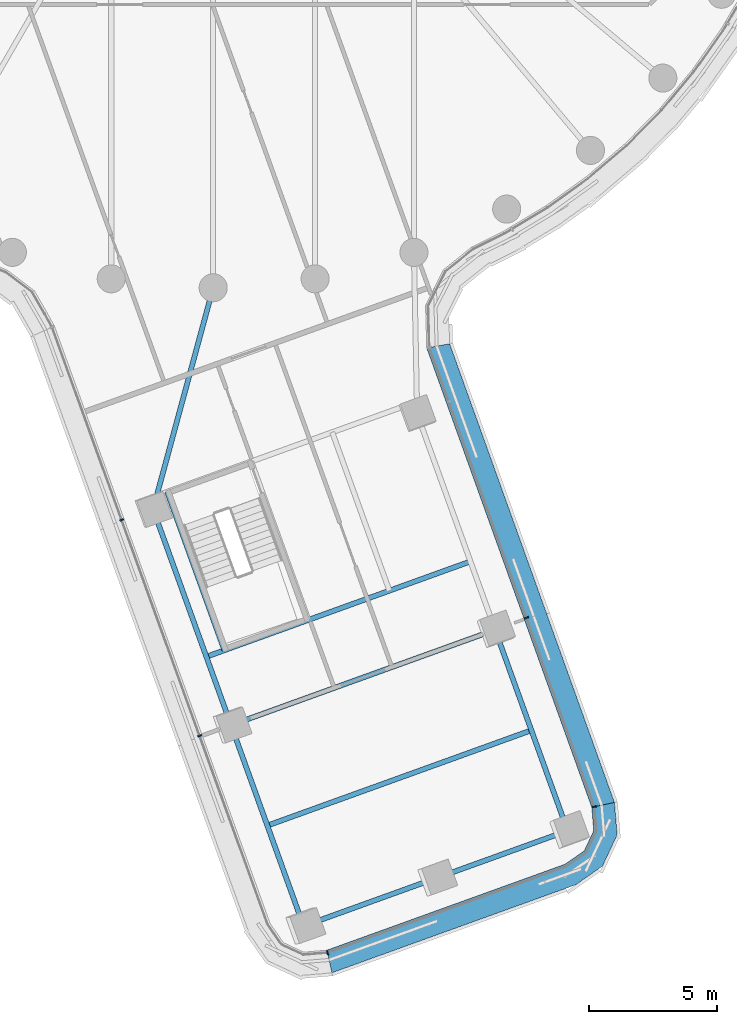
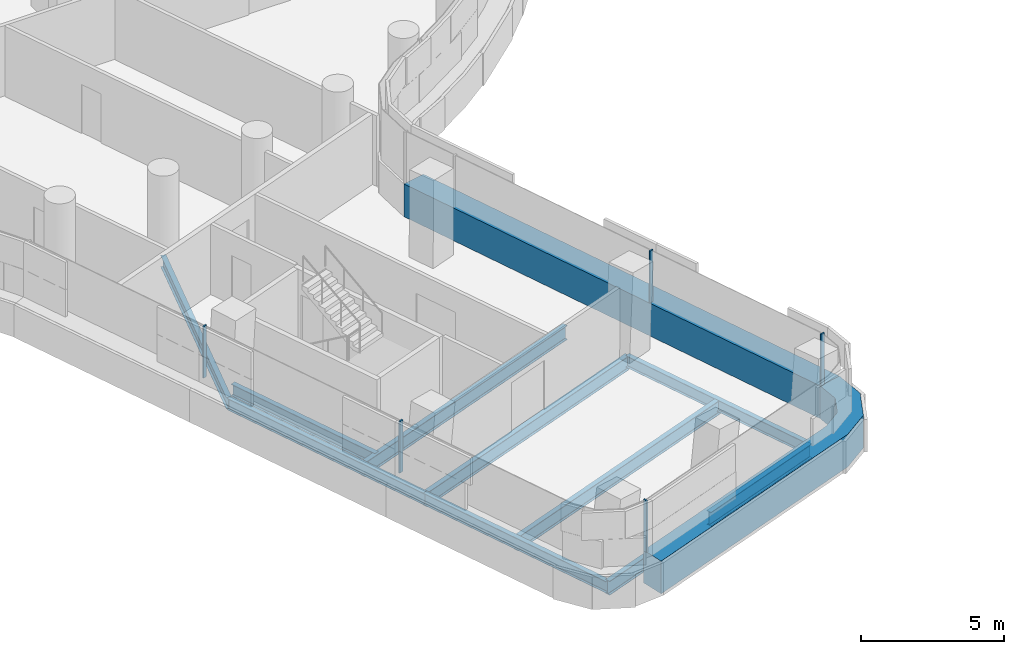
# One storey, part 2 of 30: 10 beams, 7 members, 3 elements without a shape of their own.
"""IFC4 building model written with IfcOpenShell, lengths in metres."""

from ifc_helpers import new_model, si_unit, direction, frame, origin, origin_2d, place, context, subcontext, project, spatial, polyline, rectangle, i_section, outline, extrude, material, layer, layer_set, material_profile, profile_set, type_object, element, aggregate, save


model = new_model("IFC4")

# Units and contexts
model_context = context("Model", 3, precision=1e-05, world=origin(), true_north=direction((0.0, 1.0)))
body_context = subcontext(model_context, "Body", "Model", "MODEL_VIEW")
ifc_project = project(units=[si_unit("LENGTHUNIT", "METRE"), si_unit("AREAUNIT", "SQUARE_METRE"), si_unit("VOLUMEUNIT", "CUBIC_METRE"), si_unit("PLANEANGLEUNIT", "RADIAN"), si_unit("MASSUNIT", "GRAM", prefix="KILO")], contexts=[model_context])

# Site, building, storey
site_placement = place(None, origin())
site = spatial("IfcSite", under=ifc_project, at=site_placement, CompositionType="ELEMENT")
building_placement = place(site_placement, origin())
building = spatial("IfcBuilding", under=site, at=building_placement, Name="Tamarind Cross Interchange Tower", CompositionType="ELEMENT")
storey_placement = place(building_placement, frame((0.0, 0.0, 106.0)))
storey = spatial("IfcBuildingStorey", under=building, at=storey_placement, Name="L25", CompositionType="ELEMENT", Elevation=106.0)

# Beams
ifc_material_1 = material(Name="Steel Q355B", Category="steel")
ifc_material_profile_1 = material_profile(ifc_material_1, i_section(OverallWidth=0.198974609375, OverallDepth=0.49609375, WebThickness=0.009033203125, FlangeThickness=0.013916015625, FilletRadius=0.012939453125, at=origin_2d()), Name="HN 496x199x9x14")
ifc_profile_set_1 = profile_set([ifc_material_profile_1], Name="Steel Q355B")
beam_type_1 = type_object("IfcBeamType", Name="Composite beam HN 496x199x9x14 Q355B", PredefinedType="BEAM", material=ifc_profile_set_1)
beam_1_placement = place(storey_placement, frame((3.54296875, -48.010009765625, -0.387939453125), z_axis=(-0.339589256227, 0.94057383392, 0.0), x_axis=(-0.94057383392, -0.339589256227, 0.0)))
element("IfcBeam", 1, at=beam_1_placement, inside=storey, type_object=beam_type_1, Name="Beam S-edgeem5", PredefinedType="BEAM", context=body_context, shape_type="SweptSolid", body=[
    extrude(i_section(OverallWidth=0.198974609375, OverallDepth=0.49609375, WebThickness=0.009033203125, FlangeThickness=0.013916015625, FilletRadius=0.012939453125, at=origin_2d()), origin(), (0.0, 0.0, 1.0), 8.36767578125),
])
beam_2_placement = place(storey_placement, frame((0.701416015625, -40.1396484375, -0.387939453125), z_axis=(-0.339577135833, 0.940578209837, 0.0), x_axis=(-0.940578209837, -0.339577135833, 0.0)))
element("IfcBeam", 2, at=beam_2_placement, inside=storey, type_object=beam_type_1, Name="Beam S-edgeem6", PredefinedType="BEAM", context=body_context, shape_type="SweptSolid", body=[
    extrude(i_section(OverallWidth=0.198974609375, OverallDepth=0.49609375, WebThickness=0.009033203125, FlangeThickness=0.013916015625, FilletRadius=0.012939453125, at=origin_2d()), origin(), (0.0, 0.0, 1.0), 8.999755859375),
])
beam_3_placement = place(storey_placement, frame((13.889404296875, -44.274658203125, -0.387939453125), z_axis=(-0.339589256227, 0.94057383392, 0.0), x_axis=(-0.94057383392, -0.339589256227, 0.0)))
element("IfcBeam", 3, at=beam_3_placement, inside=storey, type_object=beam_type_1, Name="Beam S-edgeep2", PredefinedType="BEAM", context=body_context, shape_type="SweptSolid", body=[
    extrude(i_section(OverallWidth=0.198974609375, OverallDepth=0.49609375, WebThickness=0.009033203125, FlangeThickness=0.013916015625, FilletRadius=0.012939453125, at=origin_2d()), origin(), (0.0, 0.0, 1.0), 8.36767578125),
])
beam_4_placement = place(storey_placement, frame((-2.354736328125, -31.674560546875, -0.387939453125), z_axis=(0.26197267677, 0.965075290651, 0.0), x_axis=(-0.965075290651, 0.26197267677, 0.0)))
element("IfcBeam", 4, at=beam_4_placement, inside=storey, type_object=beam_type_1, Name="Beam S-linkem", PredefinedType="BEAM", context=body_context, shape_type="SweptSolid", body=[
    extrude(i_section(OverallWidth=0.198974609375, OverallDepth=0.49609375, WebThickness=0.009033203125, FlangeThickness=0.013916015625, FilletRadius=0.012939453125, at=origin_2d()), origin(), (0.0, 0.0, 1.0), 8.988525390625),
])
beam_5_placement = place(storey_placement, frame((-1.802001953125, -30.99658203125, -0.387939453125), z_axis=(0.339579923931, -0.940577203245, 0.0), x_axis=(0.940577203245, 0.339579923931, 0.0)))
element("IfcBeam", 5, at=beam_5_placement, inside=storey, type_object=beam_type_1, Name="Beam S-tr0", PredefinedType="BEAM", context=body_context, shape_type="SweptSolid", body=[
    extrude(i_section(OverallWidth=0.198974609375, OverallDepth=0.49609375, WebThickness=0.009033203125, FlangeThickness=0.013916015625, FilletRadius=0.012939453125, at=origin_2d()), origin(), (0.0, 0.0, 1.0), 6.599853515625),
])
ifc_material_profile_2 = material_profile(ifc_material_1, i_section(OverallWidth=0.199951171875, OverallDepth=0.60009765625, WebThickness=0.010986328125, FlangeThickness=0.01708984375, FilletRadius=0.012939453125, at=origin_2d()), Name="HN 600x200x11x17")
ifc_profile_set_2 = profile_set([ifc_material_profile_2], Name="Steel Q355B")
beam_type_2 = type_object("IfcBeamType", Name="Composite beam HN 600x200x11x17 Q355B", PredefinedType="BEAM", material=ifc_profile_set_2)
beam_6_placement = place(storey_placement, frame((3.54296875, -48.010009765625, -0.43994140625), z_axis=(0.940576350109, 0.339582286957, 0.0), x_axis=(-0.339582286957, 0.940576350109, 0.0)))
element("IfcBeam", 6, at=beam_6_placement, inside=storey, type_object=beam_type_2, Name="Beam S-tip0", PredefinedType="BEAM", context=body_context, shape_type="SweptSolid", body=[
    extrude(i_section(OverallWidth=0.199951171875, OverallDepth=0.60009765625, WebThickness=0.010986328125, FlangeThickness=0.01708984375, FilletRadius=0.012939453125, at=origin_2d()), origin(), (0.0, 0.0, 1.0), 5.5),
])
beam_7_placement = place(storey_placement, frame((8.716064453125, -46.142333984375, -0.43994140625), z_axis=(0.940581468653, 0.339568109259, 0.0), x_axis=(-0.339568109259, 0.940581468653, 0.0)))
element("IfcBeam", 7, at=beam_7_placement, inside=storey, type_object=beam_type_2, Name="Beam S-tip1", PredefinedType="BEAM", context=body_context, shape_type="SweptSolid", body=[
    extrude(i_section(OverallWidth=0.199951171875, OverallDepth=0.60009765625, WebThickness=0.010986328125, FlangeThickness=0.01708984375, FilletRadius=0.012939453125, at=origin_2d()), origin(), (0.0, 0.0, 1.0), 5.500244140625),
])
for number, where, z_axis, x_axis, name in (
    (8, (-0.266357421875, -37.458984375, -0.43994140625), (0.940578909462, 0.33957519797, 0.0), (-0.33957519797, 0.940578909462, 0.0), "Beam S-x364"),
    (9, (0.701416015625, -40.1396484375, -0.43994140625), (0.940578909462, 0.33957519797, 0.0), (-0.33957519797, 0.940578909462, 0.0), "Beam S-x393"),
):
    element("IfcBeam", number, at=place(storey_placement, frame(where, z_axis=z_axis, x_axis=x_axis)), inside=storey, type_object=beam_type_2, Name=name, PredefinedType="BEAM", context=body_context, shape_type="SweptSolid", body=[
        extrude(i_section(OverallWidth=0.199951171875, OverallDepth=0.60009765625, WebThickness=0.010986328125, FlangeThickness=0.01708984375, FilletRadius=0.012939453125, at=origin_2d()), origin(), (0.0, 0.0, 1.0), 11.0),
    ])
beam_8_placement = place(storey_placement, frame((2.122314453125, -44.07470703125, -0.43994140625), z_axis=(0.940576350109, 0.339582286957, 0.0), x_axis=(-0.339582286957, 0.940576350109, 0.0)))
element("IfcBeam", 10, at=beam_8_placement, inside=storey, type_object=beam_type_2, Name="Beam S-x435", PredefinedType="BEAM", context=body_context, shape_type="SweptSolid", body=[
    extrude(i_section(OverallWidth=0.199951171875, OverallDepth=0.60009765625, WebThickness=0.010986328125, FlangeThickness=0.01708984375, FilletRadius=0.012939453125, at=origin_2d()), origin(), (0.0, 0.0, 1.0), 10.999755859375),
])

# Curtain wall, member
ifc_material_2 = material(Name="Aluminium 6063-T6", Category="aluminium")
ifc_layer = layer(ifc_material_2, 0.159912109375)
ifc_layer_set = layer_set([ifc_layer], Name="Aluminium 6063-T6")
curtain_wall_type = type_object("IfcCurtainWallType", Name="Office curtain wall, 9.0 m bays", PredefinedType="NOTDEFINED", material=ifc_layer_set)
curtain_wall_1_placement = place(storey_placement, origin())
curtain_wall_1 = element("IfcCurtainWall", 11, at=curtain_wall_1_placement, inside=storey, type_object=curtain_wall_type, Name="CWS-L25-04", PredefinedType="NOTDEFINED")
ifc_material_3 = material(Name="Aluminium and insulated spandrel panel", Category="aluminium")
member_type_1 = type_object("IfcMemberType", Name="Floor-edge blade transom", PredefinedType="USERDEFINED", material=ifc_material_3)
member_1_placement = place(storey_placement, origin())
member_1 = element("IfcMember", 12, at=member_1_placement, type_object=member_type_1, Name="CWT-L25-04", ObjectType="TRANSOM", PredefinedType="USERDEFINED", context=body_context, shape_type="SweptSolid", body=[
    extrude(outline(polyline([(4.457763671875, -48.955322265625), (13.789306640625, -45.58642578125), (14.54052734375, -45.0634765625), (14.912109375, -44.271728515625), (14.834716796875, -43.359375), (15.7216796875, -43.166015625), (15.829345703125, -44.43603515625), (15.252685546875, -45.6640625), (14.20654296875, -46.392822265625), (4.652099609375, -49.84228515625), (4.457763671875, -48.955322265625)])), origin(), (0.0, 0.0, 1.0), 1.39990234375),
])

curtain_wall_2_placement = place(storey_placement, origin())
curtain_wall_2 = element("IfcCurtainWall", 13, at=curtain_wall_2_placement, inside=storey, type_object=curtain_wall_type, Name="CWS-L25-05", PredefinedType="NOTDEFINED")
member_2_placement = place(storey_placement, origin())
member_2 = element("IfcMember", 14, at=member_2_placement, type_object=member_type_1, Name="CWT-L25-05", ObjectType="TRANSOM", PredefinedType="USERDEFINED", context=body_context, shape_type="SweptSolid", body=[
    extrude(outline(polyline([(14.834716796875, -43.359375), (8.368408203125, -25.362060546875), (9.263916015625, -25.19287109375), (15.7216796875, -43.166015625), (14.834716796875, -43.359375)])), origin(), (0.0, 0.0, 1.0), 1.39990234375),
])

# Curtain wall, members
curtain_wall_3_placement = place(storey_placement, origin())
curtain_wall_3 = element("IfcCurtainWall", 15, at=curtain_wall_3_placement, inside=storey, type_object=curtain_wall_type, Name="CWS-L25-03", PredefinedType="NOTDEFINED")
ifc_material_profile_3 = material_profile(ifc_material_2, rectangle(XDim=0.06005859375, YDim=0.159912109375, at=origin_2d()), Name="Mullion CW1")
ifc_profile_set_3 = profile_set([ifc_material_profile_3], Name="Aluminium 6063-T6")
member_type_2 = type_object("IfcMemberType", Name="Mullion CW1", PredefinedType="MULLION", material=ifc_profile_set_3)
member_3_placement = place(storey_placement, frame((-3.583984375, -32.097900390625, 1.39990234375), z_axis=(0.0, 0.0, 1.0), x_axis=(0.339578564011, -0.94057769422, 0.0)))
member_3 = element("IfcMember", 16, at=member_3_placement, type_object=member_type_2, Name="CWM-L25-03-01", PredefinedType="MULLION", context=body_context, shape_type="SweptSolid", body=[
    extrude(rectangle(XDim=0.06005859375, YDim=0.159912109375, at=origin_2d()), origin(), (0.0, 0.0, 1.0), 2.210205078125),
])
member_4_placement = place(storey_placement, frame((-0.529052734375, -40.5595703125, 1.39990234375), z_axis=(0.0, 0.0, 1.0), x_axis=(0.339578564011, -0.94057769422, 0.0)))
member_4 = element("IfcMember", 17, at=member_4_placement, type_object=member_type_2, Name="CWM-L25-03-02", PredefinedType="MULLION", context=body_context, shape_type="SweptSolid", body=[
    extrude(rectangle(XDim=0.06005859375, YDim=0.159912109375, at=origin_2d()), origin(), (0.0, 0.0, 1.0), 2.210205078125),
])
aggregate(curtain_wall_3, [member_3, member_4])

# Member
member_5_placement = place(storey_placement, frame((4.4794921875, -49.053955078125, 1.39990234375), z_axis=(0.0, 0.0, 1.0), x_axis=(0.976854818577, 0.213903397408, 0.0)))
member_5 = element("IfcMember", 18, at=member_5_placement, type_object=member_type_2, Name="CWM-L25-04-00", PredefinedType="MULLION", context=body_context, shape_type="SweptSolid", body=[
    extrude(rectangle(XDim=0.06005859375, YDim=0.159912109375, at=origin_2d()), origin(), (0.0, 0.0, 1.0), 2.210205078125),
])

aggregate(curtain_wall_1, [member_5, member_1])

member_6_placement = place(storey_placement, frame((14.933349609375, -43.337890625, 1.39990234375), z_axis=(0.0, 0.0, 1.0), x_axis=(-0.213150765198, 0.977019319817, 0.0)))
member_6 = element("IfcMember", 19, at=member_6_placement, type_object=member_type_2, Name="CWM-L25-05-00", PredefinedType="MULLION", context=body_context, shape_type="SweptSolid", body=[
    extrude(rectangle(XDim=0.06005859375, YDim=0.159912109375, at=origin_2d()), origin(), (0.0, 0.0, 1.0), 2.210205078125),
])

member_7_placement = place(storey_placement, frame((12.272216796875, -35.931640625, 1.39990234375), z_axis=(0.0, 0.0, 1.0), x_axis=(-0.338128919647, 0.941099800074, 0.0)))
member_7 = element("IfcMember", 20, at=member_7_placement, type_object=member_type_2, Name="CWM-L25-05-01", PredefinedType="MULLION", context=body_context, shape_type="SweptSolid", body=[
    extrude(rectangle(XDim=0.06005859375, YDim=0.159912109375, at=origin_2d()), origin(), (0.0, 0.0, 1.0), 2.210205078125),
])

aggregate(curtain_wall_2, [member_6, member_7, member_2])

save(model, "model.ifc")
